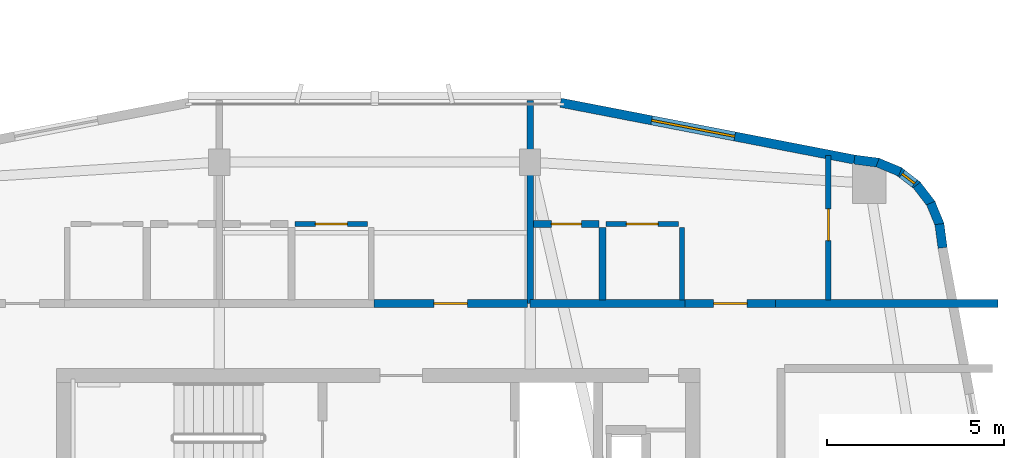
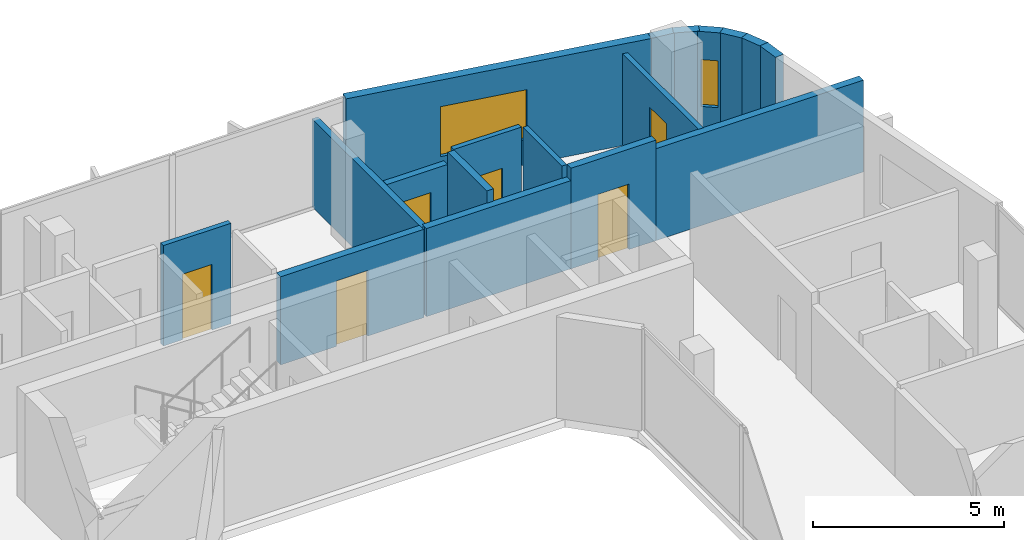
# One storey, part 20 of 26: 18 walls, 6 doors, 2 windows, 8 openings.
"""IFC4 building model written with IfcOpenShell, lengths in metres."""

from ifc_helpers import new_model, si_unit, derived_unit, direction, frame, frame_2d, origin, place, context, subcontext, project, spatial, rectangle, extrude, material, layer, layer_set, type_object, element, fill, save


model = new_model("IFC4")

# Units and contexts
model_context = context("Model", 3, precision=1e-05, world=origin(), true_north=direction((0.0, 1.0)))
body_context = subcontext(model_context, "Body", "Model", "MODEL_VIEW")
ifc_project = project(units=[si_unit("LENGTHUNIT", "METRE"), si_unit("AREAUNIT", "SQUARE_METRE"), si_unit("VOLUMEUNIT", "CUBIC_METRE"), si_unit("PLANEANGLEUNIT", "RADIAN"), si_unit("MASSUNIT", "GRAM", prefix="KILO"), derived_unit("THERMALTRANSMITTANCEUNIT", [(si_unit("POWERUNIT", "WATT"), 1), (si_unit("LENGTHUNIT", "METRE"), -2), (si_unit("THERMODYNAMICTEMPERATUREUNIT", "KELVIN"), -1)])], contexts=[model_context])

# Site, building, storey
site_placement = place(None, origin())
site = spatial("IfcSite", under=ifc_project, at=site_placement, CompositionType="ELEMENT")
building_placement = place(site_placement, origin())
building = spatial("IfcBuilding", under=site, at=building_placement, Name="Kivonza Crest Hotel", CompositionType="ELEMENT")
storey_placement = place(building_placement, frame((0.0, 0.0, 98.5)))
storey = spatial("IfcBuildingStorey", under=building, at=storey_placement, Name="L26", CompositionType="ELEMENT", Elevation=98.5)

# Wall
ifc_material_1 = material(Name="High-density acoustic masonry inter-tenancy wall", Category="masonry")
ifc_layer_1 = layer(ifc_material_1, 0.179931640625)
ifc_layer_set_1 = layer_set([ifc_layer_1], Name="High-density acoustic masonry inter-tenancy wall")
wall_type_1 = type_object("IfcWallType", Name="WL-ACOU-180", PredefinedType="SOLIDWALL", material=ifc_layer_set_1)
wall_1_placement = place(storey_placement, frame((81.39990234375, 37.60009765625, 0.0), z_axis=(0.0, 0.0, 1.0), x_axis=(0.0, 1.0, 0.0)))
element("IfcWall", 1, at=wall_1_placement, inside=storey, type_object=wall_type_1, Name="L26 interior partition WA-L26-T2N-DIV2", PredefinedType="SOLIDWALL", context=body_context, shape_type="SweptSolid", body=[
    extrude(rectangle(XDim=5.739990234375, YDim=0.179931640625, at=frame_2d((2.8701171875, 0.0))), origin(), (0.0, 0.0, 1.0), 2.824951171875),
])

# Wall, opening, door
ifc_material_2 = material(Name="Autoclaved aerated concrete blockwork", Category="masonry")
ifc_layer_2 = layer(ifc_material_2, 0.219970703125)
ifc_layer_set_2 = layer_set([ifc_layer_2], Name="Autoclaved aerated concrete blockwork")
wall_type_2 = type_object("IfcWallType", Name="WL-ACOU-220", PredefinedType="SOLIDWALL", material=ifc_layer_set_2)
wall_2_placement = place(storey_placement, frame((76.97998046875, 37.60009765625, 0.0), z_axis=(0.0, 0.0, 1.0), x_axis=(1.0, 0.0, 0.0)))
wall_2 = element("IfcWall", 2, at=wall_2_placement, inside=storey, type_object=wall_type_2, Name="L26 interior partition WA-L26-A02-MCORR", PredefinedType="SOLIDWALL", context=body_context, shape_type="SweptSolid", body=[
    extrude(rectangle(XDim=4.340087890625, YDim=0.219970703125, at=frame_2d((2.169921875, 0.0))), origin(), (0.0, 0.0, 1.0), 2.824951171875),
])
opening_1_placement = place(wall_2_placement, frame((1.695068359375, 0.0, 0.0)))
opening_1 = element("IfcOpeningElement", 3, at=opening_1_placement, cuts=wall_2, Name="Opening DU-60", PredefinedType="OPENING", context=body_context, shape_type="SweptSolid", body=[
    extrude(rectangle(XDim=0.949951171875, YDim=2.10009765625, at=frame_2d((0.47509765625, 1.050048828125))), frame((0.0, 0.1201171875, 0.0), z_axis=(0.0, -1.0, 0.0), x_axis=(1.0, 0.0, 0.0)), (0.0, 0.0, 1.0), 0.239990234375),
])
ifc_material_3 = material(Name="Hardwood timber oak", Category="wood")
door_type_1 = type_object("IfcDoorType", Name="DR-UNIT-950", OperationType="NOTDEFINED", PredefinedType="DOOR", material=ifc_material_3)
door_1_placement = place(opening_1_placement, origin())
door_1 = element("IfcDoor", 4, at=door_1_placement, inside=storey, type_object=door_type_1, Name="L26 A02 apartment entrance fire door", OperationType="SINGLE_SWING_RIGHT", OverallHeight=2.10009765625, OverallWidth=0.949951171875, PredefinedType="DOOR", context=body_context, shape_type="SweptSolid", body=[
    extrude(rectangle(XDim=0.949951171875, YDim=2.10009765625, at=frame_2d((0.47509765625, 1.050048828125))), frame((0.0, 0.02490234375, 0.0), z_axis=(0.0, -1.0, 0.0), x_axis=(1.0, 0.0, 0.0)), (0.0, 0.0, 1.0), 0.050048828125),
])
fill(opening_1, door_1)

# Walls
wall_3_placement = place(storey_placement, frame((81.39990234375, 37.60009765625, 0.0), z_axis=(0.0, 0.0, 1.0), x_axis=(1.0, 0.0, 0.0)))
element("IfcWall", 5, at=wall_3_placement, inside=storey, type_object=wall_type_2, Name="L26 interior partition WA-L26-A03-LCORR", PredefinedType="SOLIDWALL", context=body_context, shape_type="SweptSolid", body=[
    extrude(rectangle(XDim=4.380126953125, YDim=0.219970703125, at=frame_2d((2.18994140625, 0.0))), origin(), (0.0, 0.0, 1.0), 2.824951171875),
])
wall_4_placement = place(storey_placement, frame((88.35009765625, 37.60009765625, 0.0), z_axis=(0.0, 0.0, 1.0), x_axis=(1.0, 0.0, 0.0)))
element("IfcWall", 6, at=wall_4_placement, inside=storey, type_object=wall_type_2, Name="L26 interior partition WA-L26-A03-RCORR", PredefinedType="SOLIDWALL", context=body_context, shape_type="SweptSolid", body=[
    extrude(rectangle(XDim=6.289794921875, YDim=0.219970703125, at=frame_2d((3.14501953125, 0.0))), origin(), (0.0, 0.0, 1.0), 2.945068359375),
])

# Wall, opening, door
wall_5_placement = place(storey_placement, frame((85.780029296875, 37.60009765625, 0.0), z_axis=(0.0, 0.0, 1.0), x_axis=(1.0, 0.0, 0.0)))
wall_5 = element("IfcWall", 7, at=wall_5_placement, inside=storey, type_object=wall_type_2, Name="L26 interior partition WA-L26-A03-MCORR", PredefinedType="SOLIDWALL", context=body_context, shape_type="SweptSolid", body=[
    extrude(rectangle(XDim=2.570068359375, YDim=0.219970703125, at=frame_2d((1.28515625, 0.0))), origin(), (0.0, 0.0, 1.0), 3.219970703125),
])
opening_2_placement = place(wall_5_placement, frame((0.81005859375, 0.0, 0.0)))
opening_2 = element("IfcOpeningElement", 8, at=opening_2_placement, cuts=wall_5, Name="Opening DU-60", PredefinedType="OPENING", context=body_context, shape_type="SweptSolid", body=[
    extrude(rectangle(XDim=0.949951171875, YDim=2.10009765625, at=frame_2d((0.47509765625, 1.050048828125))), frame((0.0, 0.1201171875, 0.0), z_axis=(0.0, -1.0, 0.0), x_axis=(1.0, 0.0, 0.0)), (0.0, 0.0, 1.0), 0.239990234375),
])
door_2_placement = place(opening_2_placement, origin())
door_2 = element("IfcDoor", 9, at=door_2_placement, inside=storey, type_object=door_type_1, Name="L26 A03 apartment entrance fire door", OperationType="SINGLE_SWING_LEFT", OverallHeight=2.10009765625, OverallWidth=0.949951171875, PredefinedType="DOOR", context=body_context, shape_type="SweptSolid", body=[
    extrude(rectangle(XDim=0.949951171875, YDim=2.10009765625, at=frame_2d((0.47509765625, 1.050048828125))), frame((0.0, 0.02490234375, 0.0), z_axis=(0.0, -1.0, 0.0), x_axis=(1.0, 0.0, 0.0)), (0.0, 0.0, 1.0), 0.050048828125),
])
fill(opening_2, door_2)

# Walls
ifc_material_4 = material(Name="Precast concrete C40/50", Category="concrete")
ifc_layer_3 = layer(ifc_material_4, 0.260009765625)
ifc_layer_set_3 = layer_set([ifc_layer_3], Name="Precast concrete C40/50")
wall_type_3 = type_object("IfcWallType", Name="WL-EXT-260", PredefinedType="STANDARD", material=ifc_layer_set_3)
wall_6_placement = place(storey_placement, frame((93.072021484375, 39.175048828125, 0.0), z_axis=(0.0, 0.0, 1.0), x_axis=(-0.131667498923, 0.991293937098, 0.0)))
element("IfcWall", 10, at=wall_6_placement, inside=storey, type_object=wall_type_3, Name="L26 T2 exterior insulated wall 19", PredefinedType="STANDARD", context=body_context, shape_type="SweptSolid", body=[
    extrude(rectangle(XDim=0.6767578125, YDim=0.260009765625, at=frame_2d((0.33837890625, 0.0))), origin(), (0.0, 0.0, 1.0), 3.25),
])
wall_7_placement = place(storey_placement, frame((93.0009765625, 39.800048828125, 0.0), z_axis=(0.0, 0.0, 1.0), x_axis=(-0.381988976935, 0.924166879681, 0.0)))
element("IfcWall", 11, at=wall_7_placement, inside=storey, type_object=wall_type_3, Name="L26 T2 exterior insulated wall 20", PredefinedType="STANDARD", context=body_context, shape_type="SweptSolid", body=[
    extrude(rectangle(XDim=0.693359375, YDim=0.260009765625, at=frame_2d((0.3466796875, 0.0))), origin(), (0.0, 0.0, 1.0), 3.25),
])
wall_8_placement = place(storey_placement, frame((92.763916015625, 40.40087890625, 0.0), z_axis=(0.0, 0.0, 1.0), x_axis=(-0.609472651958, 0.792807092876, 0.0)))
element("IfcWall", 12, at=wall_8_placement, inside=storey, type_object=wall_type_3, Name="L26 T2 exterior insulated wall 21", PredefinedType="STANDARD", context=body_context, shape_type="SweptSolid", body=[
    extrude(rectangle(XDim=0.69384765625, YDim=0.260009765625, at=frame_2d((0.346923828125, 0.0))), origin(), (0.0, 0.0, 1.0), 3.25),
])

# Wall, opening, window
wall_9_placement = place(storey_placement, frame((92.37890625, 40.919921875, 0.0), z_axis=(0.0, 0.0, 1.0), x_axis=(-0.792506234191, 0.609863811657, 0.0)))
wall_9 = element("IfcWall", 13, at=wall_9_placement, inside=storey, type_object=wall_type_3, Name="L26 T2 exterior insulated wall 22", PredefinedType="STANDARD", context=body_context, shape_type="SweptSolid", body=[
    extrude(rectangle(XDim=0.69384765625, YDim=0.260009765625, at=frame_2d((0.346923828125, 0.0))), origin(), (0.0, 0.0, 1.0), 3.25),
])
opening_3_placement = place(wall_9_placement, frame((0.1220703125, 0.0, 0.85009765625)))
opening_3 = element("IfcOpeningElement", 14, at=opening_3_placement, cuts=wall_9, Name="Opening WN-11", PredefinedType="OPENING", context=body_context, shape_type="SweptSolid", body=[
    extrude(rectangle(XDim=0.449951171875, YDim=1.5, at=frame_2d((0.22509765625, 0.75))), frame((0.0, 0.14013671875, 0.0), z_axis=(0.0, -1.0, 0.0), x_axis=(1.0, 0.0, 0.0)), (0.0, 0.0, 1.0), 0.280029296875),
])
ifc_material_5 = material(Name="Thermally broken bronze aluminium and low-E double glazing", Category="aluminium")
window_type_1 = type_object("IfcWindowType", Name="WN-045x150", PartitioningType="SINGLE_PANEL", PredefinedType="WINDOW", material=ifc_material_5)
window_1_placement = place(opening_3_placement, origin())
window_1 = element("IfcWindow", 15, at=window_1_placement, inside=storey, type_object=window_type_1, Name="L26 corner vision window 4", OverallHeight=1.5, OverallWidth=0.449951171875, PartitioningType="SINGLE_PANEL", PredefinedType="WINDOW", context=body_context, shape_type="SweptSolid", body=[
    extrude(rectangle(XDim=0.449951171875, YDim=1.5, at=frame_2d((0.22509765625, 0.75))), frame((0.0, 0.030029296875, 0.0), z_axis=(0.0, -1.0, 0.0), x_axis=(1.0, 0.0, 0.0)), (0.0, 0.0, 1.0), 0.06005859375),
])
fill(opening_3, window_1)

# Walls
wall_10_placement = place(storey_placement, frame((91.873046875, 41.322021484375, 0.0), z_axis=(0.0, 0.0, 1.0), x_axis=(-0.92421822618, 0.381864727877, 0.0)))
element("IfcWall", 16, at=wall_10_placement, inside=storey, type_object=wall_type_3, Name="L26 T2 exterior insulated wall 23", PredefinedType="STANDARD", context=body_context, shape_type="SweptSolid", body=[
    extrude(rectangle(XDim=0.693603515625, YDim=0.260009765625, at=frame_2d((0.3466796875, 0.0))), origin(), (0.0, 0.0, 1.0), 3.25),
])
wall_11_placement = place(storey_placement, frame((91.281005859375, 41.5791015625, 0.0), z_axis=(0.0, 0.0, 1.0), x_axis=(-0.991433279471, 0.130614135366, 0.0)))
element("IfcWall", 17, at=wall_11_placement, inside=storey, type_object=wall_type_3, Name="L26 T2 exterior insulated wall 24", PredefinedType="STANDARD", context=body_context, shape_type="SweptSolid", body=[
    extrude(rectangle(XDim=0.712158203125, YDim=0.260009765625, at=frame_2d((0.35595703125, 0.0))), origin(), (0.0, 0.0, 1.0), 3.25),
])

# Wall, opening, window
wall_12_placement = place(storey_placement, frame((90.5830078125, 41.669921875, 0.0), z_axis=(0.0, 0.0, 1.0), x_axis=(-0.981750199588, 0.190175039396, 0.0)))
wall_12 = element("IfcWall", 18, at=wall_12_placement, inside=storey, type_object=wall_type_3, Name="L26 T2 exterior insulated wall 25", PredefinedType="STANDARD", context=body_context, shape_type="SweptSolid", body=[
    extrude(rectangle(XDim=8.476806640625, YDim=0.260009765625, at=frame_2d((4.23828125, 0.0))), origin(), (0.0, 0.0, 1.0), 3.25),
])
opening_4_placement = place(wall_12_placement, frame((3.4541015625, 0.0, 0.800048828125)))
opening_4 = element("IfcOpeningElement", 19, at=opening_4_placement, cuts=wall_12, Name="Opening WN-05", PredefinedType="OPENING", context=body_context, shape_type="SweptSolid", body=[
    extrude(rectangle(XDim=2.39990234375, YDim=1.60009765625, at=frame_2d((1.199951171875, 0.800048828125))), frame((0.0, 0.14013671875, 0.0), z_axis=(0.0, -1.0, 0.0), x_axis=(1.0, 0.0, 0.0)), (0.0, 0.0, 1.0), 0.280029296875),
])
window_type_2 = type_object("IfcWindowType", Name="WN-240x160", PartitioningType="TRIPLE_PANEL_VERTICAL", PredefinedType="WINDOW", material=ifc_material_5)
window_2_placement = place(opening_4_placement, origin())
window_2 = element("IfcWindow", 20, at=window_2_placement, inside=storey, type_object=window_type_2, Name="L26 T2 facade window 25", OverallHeight=1.60009765625, OverallWidth=2.39990234375, PartitioningType="SINGLE_PANEL", PredefinedType="WINDOW", context=body_context, shape_type="SweptSolid", body=[
    extrude(rectangle(XDim=2.39990234375, YDim=1.60009765625, at=frame_2d((1.199951171875, 0.800048828125))), frame((0.0, 0.030029296875, 0.0), z_axis=(0.0, -1.0, 0.0), x_axis=(1.0, 0.0, 0.0)), (0.0, 0.0, 1.0), 0.06005859375),
])
fill(opening_4, window_2)

# Wall, opening, door
ifc_material_6 = material(Name="Twin-stud acoustic gypsum board partition", Category="gypsum")
ifc_layer_4 = layer(ifc_material_6, 0.14990234375)
ifc_layer_set_4 = layer_set([ifc_layer_4], Name="Twin-stud acoustic gypsum board partition")
wall_type_4 = type_object("IfcWallType", Name="WL-PART-150", PredefinedType="PARTITIONING", material=ifc_layer_set_4)
wall_13_placement = place(storey_placement, frame((74.75, 39.85009765625, 0.0), z_axis=(0.0, 0.0, 1.0), x_axis=(1.0, 0.0, 0.0)))
wall_13 = element("IfcWall", 21, at=wall_13_placement, inside=storey, type_object=wall_type_4, Name="L26 interior partition WP-L26-A02-KSVC", PredefinedType="PARTITIONING", context=body_context, shape_type="SweptSolid", body=[
    extrude(rectangle(XDim=2.050048828125, YDim=0.14990234375, at=frame_2d((1.02490234375, 0.0))), origin(), (0.0, 0.0, 1.0), 3.219970703125),
])
opening_5_placement = place(wall_13_placement, frame((0.574951171875, 0.0, 0.0)))
opening_5 = element("IfcOpeningElement", 22, at=opening_5_placement, cuts=wall_13, Name="Opening DI-90", PredefinedType="OPENING", context=body_context, shape_type="SweptSolid", body=[
    extrude(rectangle(XDim=0.89990234375, YDim=2.10009765625, at=frame_2d((0.449951171875, 1.050048828125))), frame((0.0, 0.0849609375, 0.0), z_axis=(0.0, -1.0, 0.0), x_axis=(1.0, 0.0, 0.0)), (0.0, 0.0, 1.0), 0.169921875),
])
door_type_2 = type_object("IfcDoorType", Name="DR-INT-900", OperationType="NOTDEFINED", PredefinedType="DOOR", material=ifc_material_3)
door_3_placement = place(opening_5_placement, origin())
door_3 = element("IfcDoor", 23, at=door_3_placement, inside=storey, type_object=door_type_2, Name="L26 A02 apartment kitchen door", OperationType="SINGLE_SWING_RIGHT", OverallHeight=2.10009765625, OverallWidth=0.89990234375, PredefinedType="DOOR", context=body_context, shape_type="SweptSolid", body=[
    extrude(rectangle(XDim=0.89990234375, YDim=2.10009765625, at=frame_2d((0.449951171875, 1.050048828125))), frame((0.0, 0.02490234375, 0.0), z_axis=(0.0, -1.0, 0.0), x_axis=(1.0, 0.0, 0.0)), (0.0, 0.0, 1.0), 0.050048828125),
])
fill(opening_5, door_3)

wall_14_placement = place(storey_placement, frame((89.840087890625, 37.699951171875, 0.0), z_axis=(0.0, 0.0, 1.0), x_axis=(0.0, 1.0, 0.0)))
wall_14 = element("IfcWall", 24, at=wall_14_placement, inside=storey, type_object=wall_type_4, Name="L26 interior partition WP-L26-A03-BDW1", PredefinedType="PARTITIONING", context=body_context, shape_type="SweptSolid", body=[
    extrude(rectangle(XDim=4.0859375, YDim=0.14990234375, at=frame_2d((2.04296875, 0.0))), origin(), (0.0, 0.0, 1.0), 2.945068359375),
])
opening_6_placement = place(wall_14_placement, frame((1.679931640625, 0.0, 0.0)))
opening_6 = element("IfcOpeningElement", 25, at=opening_6_placement, cuts=wall_14, Name="Opening DI-90", PredefinedType="OPENING", context=body_context, shape_type="SweptSolid", body=[
    extrude(rectangle(XDim=0.89990234375, YDim=2.10009765625, at=frame_2d((0.449951171875, 1.050048828125))), frame((0.0, 0.0849609375, 0.0), z_axis=(0.0, -1.0, 0.0), x_axis=(1.0, 0.0, 0.0)), (0.0, 0.0, 1.0), 0.169921875),
])
door_4_placement = place(opening_6_placement, origin())
door_4 = element("IfcDoor", 26, at=door_4_placement, inside=storey, type_object=door_type_2, Name="L26 A03 bedroom 1 door", OperationType="SINGLE_SWING_RIGHT", OverallHeight=2.10009765625, OverallWidth=0.89990234375, PredefinedType="DOOR", context=body_context, shape_type="SweptSolid", body=[
    extrude(rectangle(XDim=0.89990234375, YDim=2.10009765625, at=frame_2d((0.449951171875, 1.050048828125))), frame((0.0, 0.02490234375, 0.0), z_axis=(0.0, -1.0, 0.0), x_axis=(1.0, 0.0, 0.0)), (0.0, 0.0, 1.0), 0.050048828125),
])
fill(opening_6, door_4)

# Wall
wall_15_placement = place(storey_placement, frame((85.699951171875, 37.699951171875, 0.0), z_axis=(0.0, 0.0, 1.0), x_axis=(0.0, 1.0, 0.0)))
element("IfcWall", 27, at=wall_15_placement, inside=storey, type_object=wall_type_4, Name="L26 interior partition WP-L26-A03-KF", PredefinedType="PARTITIONING", context=body_context, shape_type="SweptSolid", body=[
    extrude(rectangle(XDim=2.050048828125, YDim=0.14990234375, at=frame_2d((1.02490234375, 0.0))), origin(), (0.0, 0.0, 1.0), 3.219970703125),
])

# Wall, opening, door
wall_16_placement = place(storey_placement, frame((83.550048828125, 39.85009765625, 0.0), z_axis=(0.0, 0.0, 1.0), x_axis=(1.0, 0.0, 0.0)))
wall_16 = element("IfcWall", 28, at=wall_16_placement, inside=storey, type_object=wall_type_4, Name="L26 interior partition WP-L26-A03-KSVC", PredefinedType="PARTITIONING", context=body_context, shape_type="SweptSolid", body=[
    extrude(rectangle(XDim=2.050048828125, YDim=0.14990234375, at=frame_2d((1.02490234375, 0.0))), origin(), (0.0, 0.0, 1.0), 3.219970703125),
])
opening_7_placement = place(wall_16_placement, frame((0.574951171875, 0.0, 0.0)))
opening_7 = element("IfcOpeningElement", 29, at=opening_7_placement, cuts=wall_16, Name="Opening DI-90", PredefinedType="OPENING", context=body_context, shape_type="SweptSolid", body=[
    extrude(rectangle(XDim=0.89990234375, YDim=2.10009765625, at=frame_2d((0.449951171875, 1.050048828125))), frame((0.0, 0.0849609375, 0.0), z_axis=(0.0, -1.0, 0.0), x_axis=(1.0, 0.0, 0.0)), (0.0, 0.0, 1.0), 0.169921875),
])
door_5_placement = place(opening_7_placement, origin())
door_5 = element("IfcDoor", 30, at=door_5_placement, inside=storey, type_object=door_type_2, Name="L26 A03 apartment kitchen door", OperationType="SINGLE_SWING_LEFT", OverallHeight=2.10009765625, OverallWidth=0.89990234375, PredefinedType="DOOR", context=body_context, shape_type="SweptSolid", body=[
    extrude(rectangle(XDim=0.89990234375, YDim=2.10009765625, at=frame_2d((0.449951171875, 1.050048828125))), frame((0.0, 0.02490234375, 0.0), z_axis=(0.0, -1.0, 0.0), x_axis=(1.0, 0.0, 0.0)), (0.0, 0.0, 1.0), 0.050048828125),
])
fill(opening_7, door_5)

# Wall
ifc_material_7 = material(Name="Moisture-resistant plumbing chase partition wall", Category="gypsum")
ifc_layer_5 = layer(ifc_material_7, 0.199951171875)
ifc_layer_set_5 = layer_set([ifc_layer_5], Name="Moisture-resistant plumbing chase partition wall")
wall_type_5 = type_object("IfcWallType", Name="WL-PLUMB-200", PredefinedType="PLUMBINGWALL", material=ifc_layer_set_5)
wall_17_placement = place(storey_placement, frame((83.449951171875, 37.699951171875, 0.0), z_axis=(0.0, 0.0, 1.0), x_axis=(0.0, 1.0, 0.0)))
element("IfcWall", 31, at=wall_17_placement, inside=storey, type_object=wall_type_5, Name="L26 interior partition WW-L26-A03-BK", PredefinedType="PLUMBINGWALL", context=body_context, shape_type="SweptSolid", body=[
    extrude(rectangle(XDim=2.050048828125, YDim=0.199951171875, at=frame_2d((1.02490234375, 0.0))), origin(), (0.0, 0.0, 1.0), 3.219970703125),
])

# Wall, opening, door
wall_18_placement = place(storey_placement, frame((81.5, 39.85009765625, 0.0), z_axis=(0.0, 0.0, 1.0), x_axis=(1.0, 0.0, 0.0)))
wall_18 = element("IfcWall", 32, at=wall_18_placement, inside=storey, type_object=wall_type_5, Name="L26 interior partition WW-L26-A03-BSVC", PredefinedType="PLUMBINGWALL", context=body_context, shape_type="SweptSolid", body=[
    extrude(rectangle(XDim=1.85009765625, YDim=0.199951171875, at=frame_2d((0.925048828125, 0.0))), origin(), (0.0, 0.0, 1.0), 2.824951171875),
])
opening_8_placement = place(wall_18_placement, frame((0.5, 0.0, 0.0)))
opening_8 = element("IfcOpeningElement", 33, at=opening_8_placement, cuts=wall_18, Name="Opening DI-85", PredefinedType="OPENING", context=body_context, shape_type="SweptSolid", body=[
    extrude(rectangle(XDim=0.85009765625, YDim=2.10009765625, at=frame_2d((0.425048828125, 1.050048828125))), frame((0.0, 0.10986328125, 0.0), z_axis=(0.0, -1.0, 0.0), x_axis=(1.0, 0.0, 0.0)), (0.0, 0.0, 1.0), 0.219970703125),
])
door_type_3 = type_object("IfcDoorType", Name="DR-INT-850", OperationType="NOTDEFINED", PredefinedType="DOOR", material=ifc_material_3)
door_6_placement = place(opening_8_placement, origin())
door_6 = element("IfcDoor", 34, at=door_6_placement, inside=storey, type_object=door_type_3, Name="L26 A03 apartment bathroom door", OperationType="SINGLE_SWING_RIGHT", OverallHeight=2.10009765625, OverallWidth=0.85009765625, PredefinedType="DOOR", context=body_context, shape_type="SweptSolid", body=[
    extrude(rectangle(XDim=0.85009765625, YDim=2.10009765625, at=frame_2d((0.425048828125, 1.050048828125))), frame((0.0, 0.02490234375, 0.0), z_axis=(0.0, -1.0, 0.0), x_axis=(1.0, 0.0, 0.0)), (0.0, 0.0, 1.0), 0.050048828125),
])
fill(opening_8, door_6)

save(model, "model.ifc")
